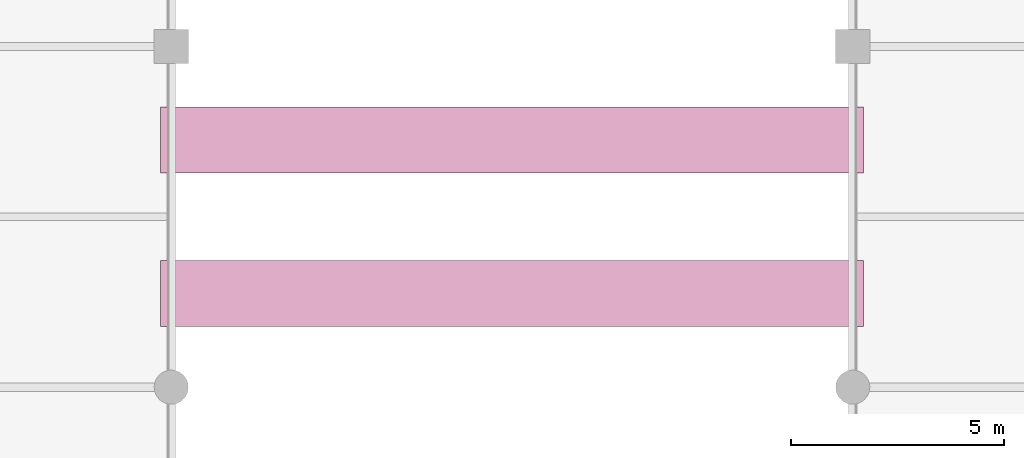
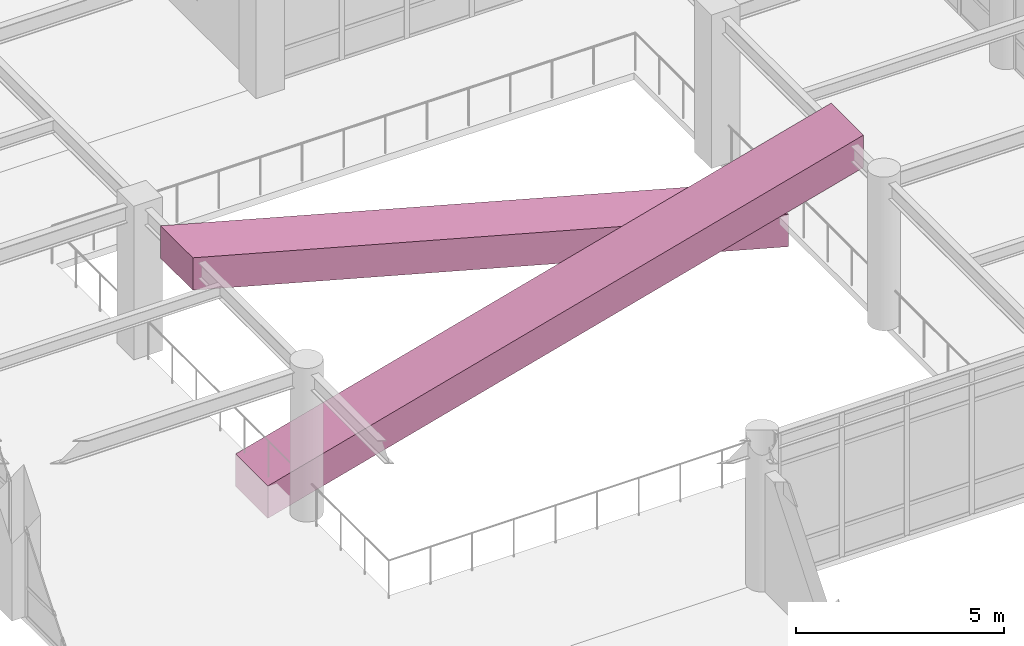
# One storey, part 78 of 78: 2 transport elements.
"""IFC4 building model written with IfcOpenShell, lengths in metres."""

from ifc_helpers import new_model, si_unit, direction, frame, origin, place, context, subcontext, project, spatial, polyline, outline, extrude, material, type_object, element, save


model = new_model("IFC4")

# Units and contexts
model_context = context("Model", 3, precision=1e-05, world=origin(), true_north=direction((0.0, 1.0)))
body_context = subcontext(model_context, "Body", "Model", "MODEL_VIEW")
ifc_project = project(units=[si_unit("LENGTHUNIT", "METRE"), si_unit("AREAUNIT", "SQUARE_METRE"), si_unit("VOLUMEUNIT", "CUBIC_METRE"), si_unit("PLANEANGLEUNIT", "RADIAN"), si_unit("MASSUNIT", "GRAM", prefix="KILO")], contexts=[model_context])

# Site, building, storey
site_placement = place(None, origin())
site = spatial("IfcSite", under=ifc_project, at=site_placement, CompositionType="ELEMENT")
building_placement = place(site_placement, origin())
building = spatial("IfcBuilding", under=site, at=building_placement, Name="Solmirada Galleria", CompositionType="ELEMENT")
storey_placement = place(building_placement, frame((0.0, 0.0, 23.89990234375)))
storey = spatial("IfcBuildingStorey", under=building, at=storey_placement, Name="L05", CompositionType="ELEMENT", Elevation=23.89990234375)

# Transport elements
ifc_material = material(Name="Stainless-steel and stone elevator cab", Category="masonry")
transport_element_type = type_object("IfcTransportElementType", Name="ESC-ATRIUM-1000", PredefinedType="ESCALATOR", material=ifc_material)
for number, where, z_axis, x_axis, name in (
    (1, (87.85009765625, 58.199951171875, 0.0), (0.0, 0.0, 1.0), (1.0, 0.0, 0.0), "Atrium escalator L05 UP"),
    (2, (104.14990234375, 61.800048828125, 0.0), (0.0, 0.0, 1.0), (-1.0, 0.0, 0.0), "Atrium escalator L05 DN"),
):
    element("IfcTransportElement", number, at=place(storey_placement, frame(where, z_axis=z_axis, x_axis=x_axis)), inside=storey, type_object=transport_element_type, Name=name, PredefinedType="ESCALATOR", context=body_context, shape_type="SweptSolid", body=[
        extrude(outline(polyline([(-0.10009765625, 0.0), (16.400146484375, 4.5), (16.400146484375, 3.550048828125), (-0.10009765625, -0.949951171875), (-0.10009765625, 0.0)])), frame((0.0, 0.77490234375, 0.0), z_axis=(0.0, -1.0, 0.0), x_axis=(1.0, 0.0, 0.0)), (0.0, 0.0, 1.0), 1.550048828125),
    ])

save(model, "model.ifc")
